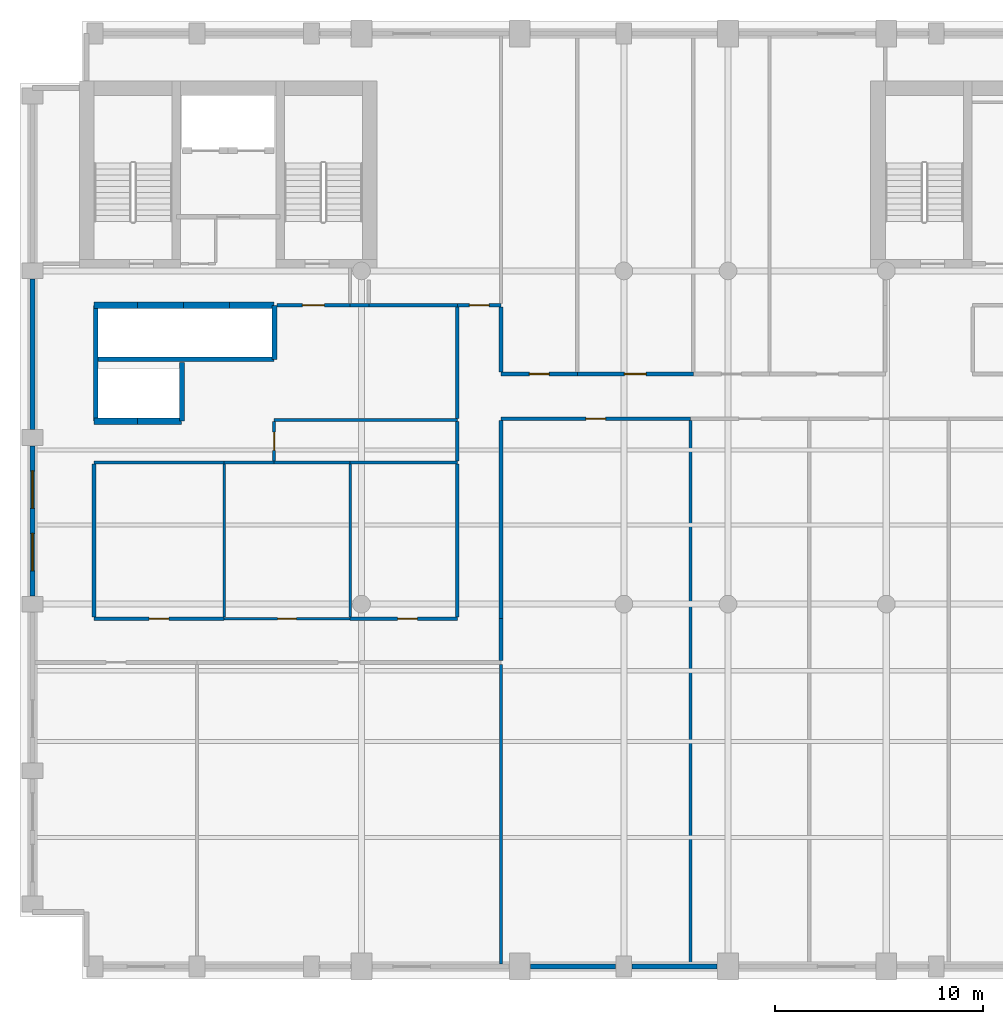
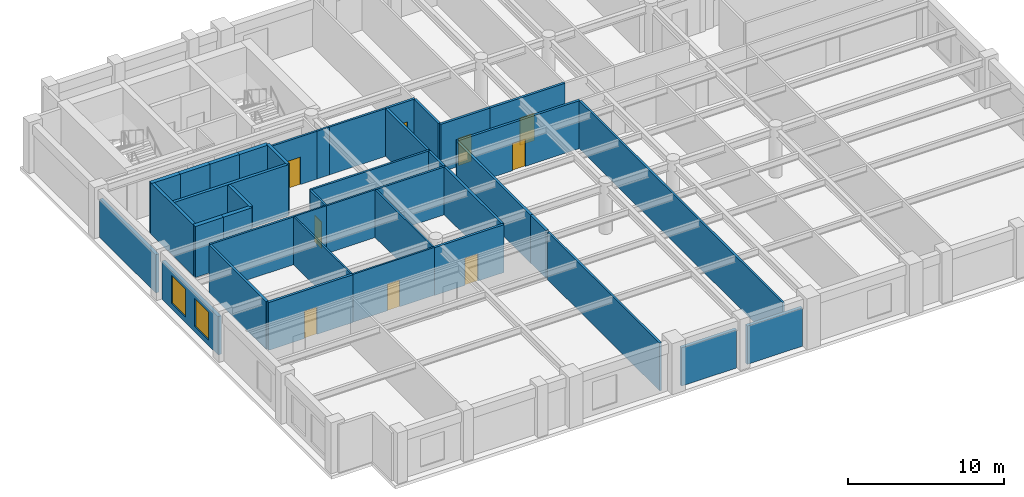
# One storey, part 3 of 8: 41 walls, 9 doors, 2 windows, 11 openings.
"""IFC4 building model written with IfcOpenShell, lengths in metres."""

from ifc_helpers import new_model, si_unit, direction, frame, frame_2d, origin, place, context, subcontext, project, spatial, rectangle, extrude, material, layer, layer_set, type_object, element, fill, save


model = new_model("IFC4")

# Units and contexts
model_context = context("Model", 3, precision=1e-05, world=origin(), true_north=direction((0.0, 1.0)))
body_context = subcontext(model_context, "Body", "Model", "MODEL_VIEW")
ifc_project = project(units=[si_unit("LENGTHUNIT", "METRE"), si_unit("AREAUNIT", "SQUARE_METRE"), si_unit("VOLUMEUNIT", "CUBIC_METRE"), si_unit("PLANEANGLEUNIT", "RADIAN"), si_unit("MASSUNIT", "GRAM", prefix="KILO")], contexts=[model_context])

# Site, building, storey
site_placement = place(None, origin())
site = spatial("IfcSite", under=ifc_project, at=site_placement, CompositionType="ELEMENT")
building_placement = place(site_placement, origin())
building = spatial("IfcBuilding", under=site, at=building_placement, Name="Sulina Concourse Tower", CompositionType="ELEMENT")
storey_placement = place(building_placement, frame((0.0, 0.0, 222.60009765625)))
storey = spatial("IfcBuildingStorey", under=building, at=storey_placement, Name="L54", CompositionType="ELEMENT", Elevation=222.60009765625)

# Walls
ifc_material_1 = material(Name="Concrete C50/60", Category="concrete")
ifc_layer_1 = layer(ifc_material_1, 0.219970703125)
ifc_layer_set_1 = layer_set([ifc_layer_1], Name="Concrete C50/60")
wall_type_1 = type_object("IfcWallType", Name="Core Lift Hoistway Divider Wall 220mm", PredefinedType="SOLIDWALL", material=ifc_layer_set_1)
wall_1_placement = place(storey_placement, frame((3.550048828125, 29.75, 0.0), z_axis=(0.0, 0.0, 1.0), x_axis=(1.0, 0.0, 0.0)))
element("IfcWall", 1, at=wall_1_placement, inside=storey, type_object=wall_type_1, Name="L54 shaft divider wall HW-LP3-S", PredefinedType="SOLIDWALL", context=body_context, shape_type="SweptSolid", body=[
    extrude(rectangle(XDim=8.64990234375, YDim=0.219970703125, at=frame_2d((4.324951171875, 0.0))), origin(), (0.0, 0.0, 1.0), 4.0),
])
wall_2_placement = place(storey_placement, frame((3.6298828125, 26.800048828125, 0.0), z_axis=(0.0, 0.0, 1.0), x_axis=(0.0, 1.0, 0.0)))
element("IfcWall", 2, at=wall_2_placement, inside=storey, type_object=wall_type_1, Name="L54 shaft divider wall HW-LP3-W", PredefinedType="SOLIDWALL", context=body_context, shape_type="SweptSolid", body=[
    extrude(rectangle(XDim=5.550048828125, YDim=0.219970703125, at=frame_2d((2.77490234375, 0.0))), origin(), (0.0, 0.0, 1.0), 4.0),
])
wall_3_placement = place(storey_placement, frame((7.780029296875, 26.800048828125, 0.0), z_axis=(0.0, 0.0, 1.0), x_axis=(0.0, 1.0, 0.0)))
element("IfcWall", 3, at=wall_3_placement, inside=storey, type_object=wall_type_1, Name="L54 shaft divider wall HW-EXP-E", PredefinedType="SOLIDWALL", context=body_context, shape_type="SweptSolid", body=[
    extrude(rectangle(XDim=2.800048828125, YDim=0.219970703125, at=frame_2d((1.39990234375, 0.0))), origin(), (0.0, 0.0, 1.0), 4.0),
])
wall_4_placement = place(storey_placement, frame((12.219970703125, 29.75, 0.0), z_axis=(0.0, 0.0, 1.0), x_axis=(0.0, 1.0, 0.0)))
element("IfcWall", 4, at=wall_4_placement, inside=storey, type_object=wall_type_1, Name="L54 shaft divider wall HW-LP3-E", PredefinedType="SOLIDWALL", context=body_context, shape_type="SweptSolid", body=[
    extrude(rectangle(XDim=2.60009765625, YDim=0.219970703125, at=frame_2d((1.300048828125, 0.0))), origin(), (0.0, 0.0, 1.0), 4.0),
])
ifc_material_2 = material(Name="Concrete C50/60", Category="concrete")
ifc_layer_2 = layer(ifc_material_2, 0.300048828125)
ifc_layer_set_2 = layer_set([ifc_layer_2], Name="Concrete C50/60")
wall_type_2 = type_object("IfcWallType", Name="Core Lift Hoistway Wall 300mm", PredefinedType="SOLIDWALL", material=ifc_layer_set_2)
wall_5_placement = place(storey_placement, frame((3.550048828125, 32.35009765625, 0.0), z_axis=(0.0, 0.0, 1.0), x_axis=(1.0, 0.0, 0.0)))
element("IfcWall", 5, at=wall_5_placement, inside=storey, type_object=wall_type_2, Name="L54 hoistway enclosure wall LP-09", PredefinedType="SOLIDWALL", context=body_context, shape_type="SweptSolid", body=[
    extrude(rectangle(XDim=2.099853515625, YDim=0.300048828125, at=frame_2d((1.0498046875, 0.0))), origin(), (0.0, 0.0, 1.0), 4.0),
])
wall_6_placement = place(storey_placement, frame((5.64990234375, 32.35009765625, 0.0), z_axis=(0.0, 0.0, 1.0), x_axis=(1.0, 0.0, 0.0)))
element("IfcWall", 6, at=wall_6_placement, inside=storey, type_object=wall_type_2, Name="L54 hoistway enclosure wall LP-10", PredefinedType="SOLIDWALL", context=body_context, shape_type="SweptSolid", body=[
    extrude(rectangle(XDim=2.2001953125, YDim=0.300048828125, at=frame_2d((1.10009765625, 0.0))), origin(), (0.0, 0.0, 1.0), 4.0),
])
wall_7_placement = place(storey_placement, frame((7.85009765625, 32.35009765625, 0.0), z_axis=(0.0, 0.0, 1.0), x_axis=(1.0, 0.0, 0.0)))
element("IfcWall", 7, at=wall_7_placement, inside=storey, type_object=wall_type_2, Name="L54 hoistway enclosure wall LP-11", PredefinedType="SOLIDWALL", context=body_context, shape_type="SweptSolid", body=[
    extrude(rectangle(XDim=2.199951171875, YDim=0.300048828125, at=frame_2d((1.10009765625, 0.0))), origin(), (0.0, 0.0, 1.0), 4.0),
])
wall_8_placement = place(storey_placement, frame((10.050048828125, 32.35009765625, 0.0), z_axis=(0.0, 0.0, 1.0), x_axis=(1.0, 0.0, 0.0)))
element("IfcWall", 8, at=wall_8_placement, inside=storey, type_object=wall_type_2, Name="L54 hoistway enclosure wall LP-12", PredefinedType="SOLIDWALL", context=body_context, shape_type="SweptSolid", body=[
    extrude(rectangle(XDim=2.14990234375, YDim=0.300048828125, at=frame_2d((1.074951171875, 0.0))), origin(), (0.0, 0.0, 1.0), 4.0),
])
wall_9_placement = place(storey_placement, frame((5.64990234375, 26.780029296875, 0.0), z_axis=(0.0, 0.0, 1.0), x_axis=(-1.0, 0.0, 0.0)))
element("IfcWall", 9, at=wall_9_placement, inside=storey, type_object=wall_type_2, Name="L54 hoistway enclosure wall EXP-1", PredefinedType="SOLIDWALL", context=body_context, shape_type="SweptSolid", body=[
    extrude(rectangle(XDim=2.099853515625, YDim=0.300048828125, at=frame_2d((1.0498046875, 0.0))), origin(), (0.0, 0.0, 1.0), 4.0),
])
wall_10_placement = place(storey_placement, frame((7.75, 26.780029296875, 0.0), z_axis=(0.0, 0.0, 1.0), x_axis=(-1.0, 0.0, 0.0)))
element("IfcWall", 10, at=wall_10_placement, inside=storey, type_object=wall_type_2, Name="L54 hoistway enclosure wall EXP-2", PredefinedType="SOLIDWALL", context=body_context, shape_type="SweptSolid", body=[
    extrude(rectangle(XDim=2.10009765625, YDim=0.300048828125, at=frame_2d((1.050048828125, 0.0))), origin(), (0.0, 0.0, 1.0), 4.0),
])
ifc_material_3 = material(Name="Precast concrete C50/60", Category="concrete")
ifc_layer_3 = layer(ifc_material_3, 0.239990234375)
ifc_layer_set_3 = layer_set([ifc_layer_3], Name="Precast concrete C50/60")
wall_type_3 = type_object("IfcWallType", Name="Crown Precast Masonry-Frame Facade Wall 240mm", PredefinedType="SOLIDWALL", material=ifc_layer_set_3)
for number, where, z_axis, x_axis, name in (
    (11, (28.60498046875, 0.60009765625, 0.0), (0.0, 0.0, 1.0), (-1.0, 0.0, 0.0), "L54 exterior precast wall S5"),
    (12, (33.47998046875, 0.60009765625, 0.0), (0.0, 0.0, 1.0), (-1.0, 0.0, 0.0), "L54 exterior precast wall S6"),
):
    element("IfcWall", number, at=place(storey_placement, frame(where, z_axis=z_axis, x_axis=x_axis)), inside=storey, type_object=wall_type_3, Name=name, PredefinedType="SOLIDWALL", context=body_context, shape_type="SweptSolid", body=[
        extrude(rectangle(XDim=4.0849609375, YDim=0.239990234375, at=frame_2d((2.04248046875, 0.0))), origin(), (0.0, 0.0, 1.0), 3.0),
    ])

# Wall, openings, windows
wall_11_placement = place(storey_placement, frame((0.60009765625, 18.39501953125, 0.0), z_axis=(0.0, 0.0, 1.0), x_axis=(0.0, 1.0, 0.0)))
wall_11 = element("IfcWall", 13, at=wall_11_placement, inside=storey, type_object=wall_type_3, Name="L54 exterior precast wall W3", PredefinedType="SOLIDWALL", context=body_context, shape_type="SweptSolid", body=[
    extrude(rectangle(XDim=7.2099609375, YDim=0.239990234375, at=frame_2d((3.60498046875, 0.0))), origin(), (0.0, 0.0, 1.0), 3.0),
])
opening_1_placement = place(wall_11_placement, frame((1.203369140625, 0.0, 0.419921875)))
opening_1 = element("IfcOpeningElement", 14, at=opening_1_placement, cuts=wall_11, Name="Opening WN-25", PredefinedType="OPENING", context=body_context, shape_type="SweptSolid", body=[
    extrude(rectangle(XDim=1.800048828125, YDim=2.199951171875, at=frame_2d((0.89990234375, 1.10009765625))), frame((0.0, 0.1298828125, 0.0), z_axis=(0.0, -1.0, 0.0), x_axis=(1.0, 0.0, 0.0)), (0.0, 0.0, 1.0), 0.260009765625),
])
opening_2_placement = place(wall_11_placement, frame((4.206787109375, 0.0, 0.419921875)))
opening_2 = element("IfcOpeningElement", 15, at=opening_2_placement, cuts=wall_11, Name="Opening WN-25", PredefinedType="OPENING", context=body_context, shape_type="SweptSolid", body=[
    extrude(rectangle(XDim=1.800048828125, YDim=2.199951171875, at=frame_2d((0.89990234375, 1.10009765625))), frame((0.0, 0.1298828125, 0.0), z_axis=(0.0, -1.0, 0.0), x_axis=(1.0, 0.0, 0.0)), (0.0, 0.0, 1.0), 0.260009765625),
])
ifc_material_4 = material(Name="Low-E solar double glazing in bronze aluminium", Category="aluminium")
window_type = type_object("IfcWindowType", Name="Punched Masonry-Frame Window 1800x2200", PartitioningType="SINGLE_PANEL", PredefinedType="WINDOW", material=ifc_material_4)
window_1_placement = place(opening_1_placement, origin())
window_1 = element("IfcWindow", 16, at=window_1_placement, inside=storey, type_object=window_type, Name="L54 punched window W3-1", OverallHeight=2.199951171875, OverallWidth=1.800048828125, PartitioningType="SINGLE_PANEL", PredefinedType="WINDOW", context=body_context, shape_type="SweptSolid", body=[
    extrude(rectangle(XDim=1.800048828125, YDim=2.199951171875, at=frame_2d((0.89990234375, 1.10009765625))), frame((0.0, 0.030029296875, 0.0), z_axis=(0.0, -1.0, 0.0), x_axis=(1.0, 0.0, 0.0)), (0.0, 0.0, 1.0), 0.06005859375),
])
fill(opening_1, window_1)
window_2_placement = place(opening_2_placement, origin())
window_2 = element("IfcWindow", 17, at=window_2_placement, inside=storey, type_object=window_type, Name="L54 punched window W3-2", OverallHeight=2.199951171875, OverallWidth=1.800048828125, PartitioningType="SINGLE_PANEL", PredefinedType="WINDOW", context=body_context, shape_type="SweptSolid", body=[
    extrude(rectangle(XDim=1.800048828125, YDim=2.199951171875, at=frame_2d((0.89990234375, 1.10009765625))), frame((0.0, 0.030029296875, 0.0), z_axis=(0.0, -1.0, 0.0), x_axis=(1.0, 0.0, 0.0)), (0.0, 0.0, 1.0), 0.06005859375),
])
fill(opening_2, window_2)

# Walls
wall_12_placement = place(storey_placement, frame((0.60009765625, 26.39501953125, 0.0), z_axis=(0.0, 0.0, 1.0), x_axis=(0.0, 1.0, 0.0)))
element("IfcWall", 18, at=wall_12_placement, inside=storey, type_object=wall_type_3, Name="L54 exterior precast wall W4", PredefinedType="SOLIDWALL", context=body_context, shape_type="SweptSolid", body=[
    extrude(rectangle(XDim=7.2099609375, YDim=0.239990234375, at=frame_2d((3.60498046875, 0.0))), origin(), (0.0, 0.0, 1.0), 3.0),
])
ifc_material_5 = material(Name="Gypsum board on steel stud", Category="steel")
ifc_layer_4 = layer(ifc_material_5, 0.14990234375)
ifc_layer_set_4 = layer_set([ifc_layer_4], Name="Gypsum board on steel stud")
wall_type_4 = type_object("IfcWallType", Name="Inter-Tenancy Acoustic Partition 150mm", PredefinedType="PARTITIONING", material=ifc_layer_set_4)
wall_13_placement = place(storey_placement, frame((3.550048828125, 24.800048828125, 0.0), z_axis=(0.0, 0.0, 1.0), x_axis=(1.0, 0.0, 0.0)))
element("IfcWall", 19, at=wall_13_placement, inside=storey, type_object=wall_type_4, Name="L54 interior partition 006", PredefinedType="PARTITIONING", context=body_context, shape_type="SweptSolid", body=[
    extrude(rectangle(XDim=6.25, YDim=0.14990234375, at=frame_2d((3.125, 0.0))), origin(), (0.0, 0.0, 1.0), 3.75),
])
wall_14_placement = place(storey_placement, frame((15.85009765625, 24.800048828125, 0.0), z_axis=(0.0, 0.0, 1.0), x_axis=(1.0, 0.0, 0.0)))
element("IfcWall", 20, at=wall_14_placement, inside=storey, type_object=wall_type_4, Name="L54 interior partition 009", PredefinedType="PARTITIONING", context=body_context, shape_type="SweptSolid", body=[
    extrude(rectangle(XDim=5.14990234375, YDim=0.14990234375, at=frame_2d((2.574951171875, 0.0))), origin(), (0.0, 0.0, 1.0), 3.75),
])
wall_15_placement = place(storey_placement, frame((12.199951171875, 26.85009765625, 0.0), z_axis=(0.0, 0.0, 1.0), x_axis=(1.0, 0.0, 0.0)))
element("IfcWall", 21, at=wall_15_placement, inside=storey, type_object=wall_type_4, Name="L54 interior partition 010", PredefinedType="PARTITIONING", context=body_context, shape_type="SweptSolid", body=[
    extrude(rectangle(XDim=8.800048828125, YDim=0.14990234375, at=frame_2d((4.39990234375, 0.0))), origin(), (0.0, 0.0, 1.0), 3.75),
])

# Wall, opening, door
wall_16_placement = place(storey_placement, frame((12.330078125, 32.35009765625, 0.0), z_axis=(0.0, 0.0, 1.0), x_axis=(1.0, 0.0, 0.0)))
wall_16 = element("IfcWall", 22, at=wall_16_placement, inside=storey, type_object=wall_type_4, Name="L54 interior partition 020", PredefinedType="PARTITIONING", context=body_context, shape_type="SweptSolid", body=[
    extrude(rectangle(XDim=3.52001953125, YDim=0.14990234375, at=frame_2d((1.760009765625, 0.0))), origin(), (0.0, 0.0, 1.0), 3.75),
])
opening_3_placement = place(wall_16_placement, frame((1.235107421875, 0.0, 0.0)))
opening_3 = element("IfcOpeningElement", 23, at=opening_3_placement, cuts=wall_16, Name="Opening DR-37", PredefinedType="OPENING", context=body_context, shape_type="SweptSolid", body=[
    extrude(rectangle(XDim=1.050048828125, YDim=2.14990234375, at=frame_2d((0.52490234375, 1.074951171875))), frame((0.0, 0.0849609375, 0.0), z_axis=(0.0, -1.0, 0.0), x_axis=(1.0, 0.0, 0.0)), (0.0, 0.0, 1.0), 0.169921875),
])
ifc_material_6 = material(Name="Oak-veneered fire door leaf")
ifc_layer_5 = layer(ifc_material_6, 0.050048828125)
ifc_layer_set_5 = layer_set([ifc_layer_5], Name="Oak-veneered fire door leaf")
door_type_1 = type_object("IfcDoorType", Name="Tenant Suite Entrance Fire Door 1050x2150", OperationType="NOTDEFINED", PredefinedType="DOOR", material=ifc_layer_set_5)
door_1_placement = place(opening_3_placement, origin())
door_1 = element("IfcDoor", 24, at=door_1_placement, inside=storey, type_object=door_type_1, Name="L54 interior door L54-MR-MRG2", OperationType="SINGLE_SWING_LEFT", OverallHeight=2.14990234375, OverallWidth=1.050048828125, PredefinedType="DOOR", context=body_context, shape_type="SweptSolid", body=[
    extrude(rectangle(XDim=1.050048828125, YDim=2.14990234375, at=frame_2d((0.52490234375, 1.074951171875))), frame((0.0, 0.02490234375, 0.0), z_axis=(0.0, -1.0, 0.0), x_axis=(1.0, 0.0, 0.0)), (0.0, 0.0, 1.0), 0.050048828125),
])
fill(opening_3, door_1)

# Walls
wall_17_placement = place(storey_placement, frame((15.85009765625, 32.35009765625, 0.0), z_axis=(0.0, 0.0, 1.0), x_axis=(1.0, 0.0, 0.0)))
element("IfcWall", 25, at=wall_17_placement, inside=storey, type_object=wall_type_4, Name="L54 interior partition 021", PredefinedType="PARTITIONING", context=body_context, shape_type="SweptSolid", body=[
    extrude(rectangle(XDim=0.89990234375, YDim=0.14990234375, at=frame_2d((0.449951171875, 0.0))), origin(), (0.0, 0.0, 1.0), 3.75),
])
wall_18_placement = place(storey_placement, frame((16.75, 32.35009765625, 0.0), z_axis=(0.0, 0.0, 1.0), x_axis=(1.0, 0.0, 0.0)))
element("IfcWall", 26, at=wall_18_placement, inside=storey, type_object=wall_type_4, Name="L54 interior partition 022", PredefinedType="PARTITIONING", context=body_context, shape_type="SweptSolid", body=[
    extrude(rectangle(XDim=4.25, YDim=0.14990234375, at=frame_2d((2.125, 0.0))), origin(), (0.0, 0.0, 1.0), 3.75),
])

# Wall, opening, door
wall_19_placement = place(storey_placement, frame((12.199951171875, 24.862548828125, 0.0), z_axis=(0.0, 0.0, 1.0), x_axis=(0.0, 1.0, 0.0)))
wall_19 = element("IfcWall", 27, at=wall_19_placement, inside=storey, type_object=wall_type_4, Name="L54 interior partition 034", PredefinedType="PARTITIONING", context=body_context, shape_type="SweptSolid", body=[
    extrude(rectangle(XDim=1.912353515625, YDim=0.14990234375, at=frame_2d((0.9560546875, 0.0))), origin(), (0.0, 0.0, 1.0), 3.75),
])
opening_4_placement = place(wall_19_placement, frame((0.51611328125, 0.0, 0.0)))
opening_4 = element("IfcOpeningElement", 28, at=opening_4_placement, cuts=wall_19, Name="Opening DR-38", PredefinedType="OPENING", context=body_context, shape_type="SweptSolid", body=[
    extrude(rectangle(XDim=0.8798828125, YDim=2.10009765625, at=frame_2d((0.43994140625, 1.050048828125))), frame((0.0, 0.0849609375, 0.0), z_axis=(0.0, -1.0, 0.0), x_axis=(1.0, 0.0, 0.0)), (0.0, 0.0, 1.0), 0.169921875),
])
ifc_material_7 = material(Name="Galvanised steel acoustic fire leaf", Category="steel")
ifc_layer_6 = layer(ifc_material_7, 0.050048828125)
ifc_layer_set_6 = layer_set([ifc_layer_6], Name="Galvanised steel acoustic fire leaf")
door_type_2 = type_object("IfcDoorType", Name="Service Riser Fire Door 880x2100", OperationType="NOTDEFINED", PredefinedType="DOOR", material=ifc_layer_set_6)
door_2_placement = place(opening_4_placement, origin())
door_2 = element("IfcDoor", 29, at=door_2_placement, inside=storey, type_object=door_type_2, Name="L54 interior door L54-MR-MRG1", OperationType="SINGLE_SWING_RIGHT", OverallHeight=2.10009765625, OverallWidth=0.8798828125, PredefinedType="DOOR", context=body_context, shape_type="SweptSolid", body=[
    extrude(rectangle(XDim=0.8798828125, YDim=2.10009765625, at=frame_2d((0.43994140625, 1.050048828125))), frame((0.0, 0.02490234375, 0.0), z_axis=(0.0, -1.0, 0.0), x_axis=(1.0, 0.0, 0.0)), (0.0, 0.0, 1.0), 0.050048828125),
])
fill(opening_4, door_2)

# Walls
wall_20_placement = place(storey_placement, frame((23.10009765625, 0.719970703125, 0.0), z_axis=(0.0, 0.0, 1.0), x_axis=(0.0, 1.0, 0.0)))
element("IfcWall", 30, at=wall_20_placement, inside=storey, type_object=wall_type_4, Name="L54 interior partition 041", PredefinedType="PARTITIONING", context=body_context, shape_type="SweptSolid", body=[
    extrude(rectangle(XDim=14.39013671875, YDim=0.14990234375, at=frame_2d((7.195068359375, 0.0))), origin(), (0.0, 0.0, 1.0), 3.75),
])
wall_21_placement = place(storey_placement, frame((32.199951171875, 0.719970703125, 0.0), z_axis=(0.0, 0.0, 1.0), x_axis=(0.0, 1.0, 0.0)))
element("IfcWall", 31, at=wall_21_placement, inside=storey, type_object=wall_type_4, Name="L54 interior partition 047", PredefinedType="PARTITIONING", context=body_context, shape_type="SweptSolid", body=[
    extrude(rectangle(XDim=26.090087890625, YDim=0.14990234375, at=frame_2d((13.044921875, 0.0))), origin(), (0.0, 0.0, 1.0), 3.75),
])

# Wall, opening, door
ifc_material_8 = material(Name="Gypsum board on steel stud", Category="steel")
ifc_layer_7 = layer(ifc_material_8, 0.179931640625)
ifc_layer_set_7 = layer_set([ifc_layer_7], Name="Gypsum board on steel stud")
wall_type_5 = type_object("IfcWallType", Name="Protected Corridor & Riser Partition 180mm", PredefinedType="PARTITIONING", material=ifc_layer_set_7)
wall_22_placement = place(storey_placement, frame((3.550048828125, 17.300048828125, 0.0), z_axis=(0.0, 0.0, 1.0), x_axis=(1.0, 0.0, 0.0)))
wall_22 = element("IfcWall", 32, at=wall_22_placement, inside=storey, type_object=wall_type_5, Name="L54 interior partition 003", PredefinedType="PARTITIONING", context=body_context, shape_type="SweptSolid", body=[
    extrude(rectangle(XDim=6.25, YDim=0.179931640625, at=frame_2d((3.125, 0.0))), origin(), (0.0, 0.0, 1.0), 3.75),
])
opening_5_placement = place(wall_22_placement, frame((2.64990234375, 0.0, 0.0)))
opening_5 = element("IfcOpeningElement", 33, at=opening_5_placement, cuts=wall_22, Name="Opening DR-19", PredefinedType="OPENING", context=body_context, shape_type="SweptSolid", body=[
    extrude(rectangle(XDim=0.949951171875, YDim=2.14990234375, at=frame_2d((0.47509765625, 1.074951171875))), frame((0.0, 0.099853515625, 0.0), z_axis=(0.0, -1.0, 0.0), x_axis=(1.0, 0.0, 0.0)), (0.0, 0.0, 1.0), 0.199951171875),
])
ifc_material_9 = material(Name="Oak-veneered acoustic timber leaf", Category="wood")
ifc_layer_8 = layer(ifc_material_9, 0.050048828125)
ifc_layer_set_8 = layer_set([ifc_layer_8], Name="Oak-veneered acoustic timber leaf")
door_type_3 = type_object("IfcDoorType", Name="Cellular Office & Meeting Door 950x2150", OperationType="NOTDEFINED", PredefinedType="DOOR", material=ifc_layer_set_8)
door_3_placement = place(opening_5_placement, origin())
door_3 = element("IfcDoor", 34, at=door_3_placement, inside=storey, type_object=door_type_3, Name="L54 interior door L54-LR-MRG1", OperationType="SINGLE_SWING_LEFT", OverallHeight=2.14990234375, OverallWidth=0.949951171875, PredefinedType="DOOR", context=body_context, shape_type="SweptSolid", body=[
    extrude(rectangle(XDim=0.949951171875, YDim=2.14990234375, at=frame_2d((0.47509765625, 1.074951171875))), frame((0.0, 0.02490234375, 0.0), z_axis=(0.0, -1.0, 0.0), x_axis=(1.0, 0.0, 0.0)), (0.0, 0.0, 1.0), 0.050048828125),
])
fill(opening_5, door_3)

wall_23_placement = place(storey_placement, frame((15.85009765625, 17.300048828125, 0.0), z_axis=(0.0, 0.0, 1.0), x_axis=(1.0, 0.0, 0.0)))
wall_23 = element("IfcWall", 35, at=wall_23_placement, inside=storey, type_object=wall_type_5, Name="L54 interior partition 005", PredefinedType="PARTITIONING", context=body_context, shape_type="SweptSolid", body=[
    extrude(rectangle(XDim=5.14990234375, YDim=0.179931640625, at=frame_2d((2.574951171875, 0.0))), origin(), (0.0, 0.0, 1.0), 3.75),
])
opening_6_placement = place(wall_23_placement, frame((2.280029296875, 0.0, 0.0)))
opening_6 = element("IfcOpeningElement", 36, at=opening_6_placement, cuts=wall_23, Name="Opening DR-19", PredefinedType="OPENING", context=body_context, shape_type="SweptSolid", body=[
    extrude(rectangle(XDim=0.949951171875, YDim=2.14990234375, at=frame_2d((0.47509765625, 1.074951171875))), frame((0.0, 0.099853515625, 0.0), z_axis=(0.0, -1.0, 0.0), x_axis=(1.0, 0.0, 0.0)), (0.0, 0.0, 1.0), 0.199951171875),
])
door_4_placement = place(opening_6_placement, origin())
door_4 = element("IfcDoor", 37, at=door_4_placement, inside=storey, type_object=door_type_3, Name="L54 interior door L54-NZ-PKW", OperationType="SINGLE_SWING_LEFT", OverallHeight=2.14990234375, OverallWidth=0.949951171875, PredefinedType="DOOR", context=body_context, shape_type="SweptSolid", body=[
    extrude(rectangle(XDim=0.949951171875, YDim=2.14990234375, at=frame_2d((0.47509765625, 1.074951171875))), frame((0.0, 0.02490234375, 0.0), z_axis=(0.0, -1.0, 0.0), x_axis=(1.0, 0.0, 0.0)), (0.0, 0.0, 1.0), 0.050048828125),
])
fill(opening_6, door_4)

wall_24_placement = place(storey_placement, frame((23.10009765625, 26.89990234375, 0.0), z_axis=(0.0, 0.0, 1.0), x_axis=(1.0, 0.0, 0.0)))
wall_24 = element("IfcWall", 38, at=wall_24_placement, inside=storey, type_object=wall_type_5, Name="L54 interior partition 011", PredefinedType="PARTITIONING", context=body_context, shape_type="SweptSolid", body=[
    extrude(rectangle(XDim=9.099853515625, YDim=0.179931640625, at=frame_2d((4.5498046875, 0.0))), origin(), (0.0, 0.0, 1.0), 3.75),
])
opening_7_placement = place(wall_24_placement, frame((4.074951171875, 0.0, 0.0)))
opening_7 = element("IfcOpeningElement", 39, at=opening_7_placement, cuts=wall_24, Name="Opening DR-19", PredefinedType="OPENING", context=body_context, shape_type="SweptSolid", body=[
    extrude(rectangle(XDim=0.949951171875, YDim=2.14990234375, at=frame_2d((0.47509765625, 1.074951171875))), frame((0.0, 0.099853515625, 0.0), z_axis=(0.0, -1.0, 0.0), x_axis=(1.0, 0.0, 0.0)), (0.0, 0.0, 1.0), 0.199951171875),
])
door_5_placement = place(opening_7_placement, origin())
door_5 = element("IfcDoor", 40, at=door_5_placement, inside=storey, type_object=door_type_3, Name="L54 interior door L54-S03", OperationType="SINGLE_SWING_RIGHT", OverallHeight=2.14990234375, OverallWidth=0.949951171875, PredefinedType="DOOR", context=body_context, shape_type="SweptSolid", body=[
    extrude(rectangle(XDim=0.949951171875, YDim=2.14990234375, at=frame_2d((0.47509765625, 1.074951171875))), frame((0.0, 0.02490234375, 0.0), z_axis=(0.0, -1.0, 0.0), x_axis=(1.0, 0.0, 0.0)), (0.0, 0.0, 1.0), 0.050048828125),
])
fill(opening_7, door_5)

wall_25_placement = place(storey_placement, frame((23.10009765625, 29.050048828125, 0.0), z_axis=(0.0, 0.0, 1.0), x_axis=(1.0, 0.0, 0.0)))
wall_25 = element("IfcWall", 41, at=wall_25_placement, inside=storey, type_object=wall_type_5, Name="L54 interior partition 015", PredefinedType="PARTITIONING", context=body_context, shape_type="SweptSolid", body=[
    extrude(rectangle(XDim=3.659912109375, YDim=0.179931640625, at=frame_2d((1.830078125, 0.0))), origin(), (0.0, 0.0, 1.0), 3.75),
])
opening_8_placement = place(wall_25_placement, frame((1.35498046875, 0.0, 0.0)))
opening_8 = element("IfcOpeningElement", 42, at=opening_8_placement, cuts=wall_25, Name="Opening DR-19", PredefinedType="OPENING", context=body_context, shape_type="SweptSolid", body=[
    extrude(rectangle(XDim=0.949951171875, YDim=2.14990234375, at=frame_2d((0.47509765625, 1.074951171875))), frame((0.0, 0.099853515625, 0.0), z_axis=(0.0, -1.0, 0.0), x_axis=(1.0, 0.0, 0.0)), (0.0, 0.0, 1.0), 0.199951171875),
])
door_6_placement = place(opening_8_placement, origin())
door_6 = element("IfcDoor", 43, at=door_6_placement, inside=storey, type_object=door_type_3, Name="L54 interior door L54-NC1", OperationType="SINGLE_SWING_RIGHT", OverallHeight=2.14990234375, OverallWidth=0.949951171875, PredefinedType="DOOR", context=body_context, shape_type="SweptSolid", body=[
    extrude(rectangle(XDim=0.949951171875, YDim=2.14990234375, at=frame_2d((0.47509765625, 1.074951171875))), frame((0.0, 0.02490234375, 0.0), z_axis=(0.0, -1.0, 0.0), x_axis=(1.0, 0.0, 0.0)), (0.0, 0.0, 1.0), 0.050048828125),
])
fill(opening_8, door_6)

wall_26_placement = place(storey_placement, frame((26.760009765625, 29.050048828125, 0.0), z_axis=(0.0, 0.0, 1.0), x_axis=(1.0, 0.0, 0.0)))
wall_26 = element("IfcWall", 44, at=wall_26_placement, inside=storey, type_object=wall_type_5, Name="L54 interior partition 016", PredefinedType="PARTITIONING", context=body_context, shape_type="SweptSolid", body=[
    extrude(rectangle(XDim=5.570068359375, YDim=0.179931640625, at=frame_2d((2.78515625, 0.0))), origin(), (0.0, 0.0, 1.0), 3.75),
])
opening_9_placement = place(wall_26_placement, frame((2.260009765625, 0.0, 0.0)))
opening_9 = element("IfcOpeningElement", 45, at=opening_9_placement, cuts=wall_26, Name="Opening DR-37", PredefinedType="OPENING", context=body_context, shape_type="SweptSolid", body=[
    extrude(rectangle(XDim=1.050048828125, YDim=2.14990234375, at=frame_2d((0.52490234375, 1.074951171875))), frame((0.0, 0.099853515625, 0.0), z_axis=(0.0, -1.0, 0.0), x_axis=(1.0, 0.0, 0.0)), (0.0, 0.0, 1.0), 0.199951171875),
])
door_7_placement = place(opening_9_placement, origin())
door_7 = element("IfcDoor", 46, at=door_7_placement, inside=storey, type_object=door_type_1, Name="L54 interior door L54-NC2", OperationType="SINGLE_SWING_LEFT", OverallHeight=2.14990234375, OverallWidth=1.050048828125, PredefinedType="DOOR", context=body_context, shape_type="SweptSolid", body=[
    extrude(rectangle(XDim=1.050048828125, YDim=2.14990234375, at=frame_2d((0.52490234375, 1.074951171875))), frame((0.0, 0.02490234375, 0.0), z_axis=(0.0, -1.0, 0.0), x_axis=(1.0, 0.0, 0.0)), (0.0, 0.0, 1.0), 0.050048828125),
])
fill(opening_9, door_7)

wall_27_placement = place(storey_placement, frame((21.0, 32.35009765625, 0.0), z_axis=(0.0, 0.0, 1.0), x_axis=(1.0, 0.0, 0.0)))
wall_27 = element("IfcWall", 47, at=wall_27_placement, inside=storey, type_object=wall_type_5, Name="L54 interior partition 023", PredefinedType="PARTITIONING", context=body_context, shape_type="SweptSolid", body=[
    extrude(rectangle(XDim=2.10009765625, YDim=0.179931640625, at=frame_2d((1.050048828125, 0.0))), origin(), (0.0, 0.0, 1.0), 3.75),
])
opening_10_placement = place(wall_27_placement, frame((0.574951171875, 0.0, 0.0)))
opening_10 = element("IfcOpeningElement", 48, at=opening_10_placement, cuts=wall_27, Name="Opening DR-19", PredefinedType="OPENING", context=body_context, shape_type="SweptSolid", body=[
    extrude(rectangle(XDim=0.949951171875, YDim=2.14990234375, at=frame_2d((0.47509765625, 1.074951171875))), frame((0.0, 0.099853515625, 0.0), z_axis=(0.0, -1.0, 0.0), x_axis=(1.0, 0.0, 0.0)), (0.0, 0.0, 1.0), 0.199951171875),
])
door_8_placement = place(opening_10_placement, origin())
door_8 = element("IfcDoor", 49, at=door_8_placement, inside=storey, type_object=door_type_3, Name="L54 interior door L54-NC-NW", OperationType="SINGLE_SWING_RIGHT", OverallHeight=2.14990234375, OverallWidth=0.949951171875, PredefinedType="DOOR", context=body_context, shape_type="SweptSolid", body=[
    extrude(rectangle(XDim=0.949951171875, YDim=2.14990234375, at=frame_2d((0.47509765625, 1.074951171875))), frame((0.0, 0.02490234375, 0.0), z_axis=(0.0, -1.0, 0.0), x_axis=(1.0, 0.0, 0.0)), (0.0, 0.0, 1.0), 0.050048828125),
])
fill(opening_10, door_8)

# Walls
for number, where, z_axis, x_axis, name in (
    (50, (3.550048828125, 17.389892578125, 0.0), (0.0, 0.0, 1.0), (0.0, 1.0, 0.0), "L54 interior partition 030"),
    (51, (21.0, 17.389892578125, 0.0), (0.0, 0.0, 1.0), (0.0, 1.0, 0.0), "L54 interior partition 038"),
):
    element("IfcWall", number, at=place(storey_placement, frame(where, z_axis=z_axis, x_axis=x_axis)), inside=storey, type_object=wall_type_5, Name=name, PredefinedType="PARTITIONING", context=body_context, shape_type="SweptSolid", body=[
        extrude(rectangle(XDim=7.335205078125, YDim=0.179931640625, at=frame_2d((3.66748046875, 0.0))), origin(), (0.0, 0.0, 1.0), 3.75),
    ])
wall_28_placement = place(storey_placement, frame((21.0, 24.875, 0.0), z_axis=(0.0, 0.0, 1.0), x_axis=(0.0, 1.0, 0.0)))
element("IfcWall", 52, at=wall_28_placement, inside=storey, type_object=wall_type_5, Name="L54 interior partition 039", PredefinedType="PARTITIONING", context=body_context, shape_type="SweptSolid", body=[
    extrude(rectangle(XDim=1.89990234375, YDim=0.179931640625, at=frame_2d((0.949951171875, 0.0))), origin(), (0.0, 0.0, 1.0), 3.75),
])
wall_29_placement = place(storey_placement, frame((21.0, 26.925048828125, 0.0), z_axis=(0.0, 0.0, 1.0), x_axis=(0.0, 1.0, 0.0)))
element("IfcWall", 53, at=wall_29_placement, inside=storey, type_object=wall_type_5, Name="L54 interior partition 040", PredefinedType="PARTITIONING", context=body_context, shape_type="SweptSolid", body=[
    extrude(rectangle(XDim=5.3349609375, YDim=0.179931640625, at=frame_2d((2.66748046875, 0.0))), origin(), (0.0, 0.0, 1.0), 3.75),
])
wall_30_placement = place(storey_placement, frame((23.10009765625, 15.2900390625, 0.0), z_axis=(0.0, 0.0, 1.0), x_axis=(0.0, 1.0, 0.0)))
element("IfcWall", 54, at=wall_30_placement, inside=storey, type_object=wall_type_5, Name="L54 interior partition 042", PredefinedType="PARTITIONING", context=body_context, shape_type="SweptSolid", body=[
    extrude(rectangle(XDim=2.010009765625, YDim=0.179931640625, at=frame_2d((1.0048828125, 0.0))), origin(), (0.0, 0.0, 1.0), 3.75),
])
wall_31_placement = place(storey_placement, frame((23.10009765625, 17.300048828125, 0.0), z_axis=(0.0, 0.0, 1.0), x_axis=(0.0, 1.0, 0.0)))
element("IfcWall", 55, at=wall_31_placement, inside=storey, type_object=wall_type_5, Name="L54 interior partition 043", PredefinedType="PARTITIONING", context=body_context, shape_type="SweptSolid", body=[
    extrude(rectangle(XDim=9.510009765625, YDim=0.179931640625, at=frame_2d((4.7548828125, 0.0))), origin(), (0.0, 0.0, 1.0), 3.75),
])
wall_32_placement = place(storey_placement, frame((23.10009765625, 29.139892578125, 0.0), z_axis=(0.0, 0.0, 1.0), x_axis=(0.0, 1.0, 0.0)))
element("IfcWall", 56, at=wall_32_placement, inside=storey, type_object=wall_type_5, Name="L54 interior partition 044", PredefinedType="PARTITIONING", context=body_context, shape_type="SweptSolid", body=[
    extrude(rectangle(XDim=3.1201171875, YDim=0.179931640625, at=frame_2d((1.56005859375, 0.0))), origin(), (0.0, 0.0, 1.0), 3.75),
])

# Wall, opening, door
ifc_material_10 = material(Name="Gypsum board on steel stud", Category="steel")
ifc_layer_9 = layer(ifc_material_10, 0.125)
ifc_layer_set_9 = layer_set([ifc_layer_9], Name="Gypsum board on steel stud")
wall_type_6 = type_object("IfcWallType", Name="Wet-Area Moisture-Resistant Partition 125mm", PredefinedType="PARTITIONING", material=ifc_layer_set_9)
wall_33_placement = place(storey_placement, frame((9.800048828125, 17.300048828125, 0.0), z_axis=(0.0, 0.0, 1.0), x_axis=(1.0, 0.0, 0.0)))
wall_33 = element("IfcWall", 57, at=wall_33_placement, inside=storey, type_object=wall_type_6, Name="L54 interior partition 004", PredefinedType="PARTITIONING", context=body_context, shape_type="SweptSolid", body=[
    extrude(rectangle(XDim=6.050048828125, YDim=0.125, at=frame_2d((3.02490234375, 0.0))), origin(), (0.0, 0.0, 1.0), 3.75),
])
opening_11_placement = place(wall_33_placement, frame((2.574951171875, 0.0, 0.0)))
opening_11 = element("IfcOpeningElement", 58, at=opening_11_placement, cuts=wall_33, Name="Opening DR-21", PredefinedType="OPENING", context=body_context, shape_type="SweptSolid", body=[
    extrude(rectangle(XDim=0.89990234375, YDim=2.10009765625, at=frame_2d((0.449951171875, 1.050048828125))), frame((0.0, 0.072509765625, 0.0), z_axis=(0.0, -1.0, 0.0), x_axis=(1.0, 0.0, 0.0)), (0.0, 0.0, 1.0), 0.14501953125),
])
ifc_material_11 = material(Name="Oak-veneered fire door leaf")
ifc_layer_10 = layer(ifc_material_11, 0.050048828125)
ifc_layer_set_10 = layer_set([ifc_layer_10], Name="Oak-veneered fire door leaf")
door_type_4 = type_object("IfcDoorType", Name="Restroom & Service Door 900x2100", OperationType="NOTDEFINED", PredefinedType="DOOR", material=ifc_layer_set_10)
door_9_placement = place(opening_11_placement, origin())
door_9 = element("IfcDoor", 59, at=door_9_placement, inside=storey, type_object=door_type_4, Name="L54 interior door L54-LR-MRG2", OperationType="SINGLE_SWING_RIGHT", OverallHeight=2.10009765625, OverallWidth=0.89990234375, PredefinedType="DOOR", context=body_context, shape_type="SweptSolid", body=[
    extrude(rectangle(XDim=0.89990234375, YDim=2.10009765625, at=frame_2d((0.449951171875, 1.050048828125))), frame((0.0, 0.02490234375, 0.0), z_axis=(0.0, -1.0, 0.0), x_axis=(1.0, 0.0, 0.0)), (0.0, 0.0, 1.0), 0.050048828125),
])
fill(opening_11, door_9)

# Walls
wall_34_placement = place(storey_placement, frame((9.800048828125, 24.800048828125, 0.0), z_axis=(0.0, 0.0, 1.0), x_axis=(1.0, 0.0, 0.0)))
element("IfcWall", 60, at=wall_34_placement, inside=storey, type_object=wall_type_6, Name="L54 interior partition 007", PredefinedType="PARTITIONING", context=body_context, shape_type="SweptSolid", body=[
    extrude(rectangle(XDim=2.39990234375, YDim=0.125, at=frame_2d((1.199951171875, 0.0))), origin(), (0.0, 0.0, 1.0), 3.75),
])
wall_35_placement = place(storey_placement, frame((12.199951171875, 24.800048828125, 0.0), z_axis=(0.0, 0.0, 1.0), x_axis=(1.0, 0.0, 0.0)))
element("IfcWall", 61, at=wall_35_placement, inside=storey, type_object=wall_type_6, Name="L54 interior partition 008", PredefinedType="PARTITIONING", context=body_context, shape_type="SweptSolid", body=[
    extrude(rectangle(XDim=3.650146484375, YDim=0.125, at=frame_2d((1.8251953125, 0.0))), origin(), (0.0, 0.0, 1.0), 3.75),
])
for number, where, z_axis, x_axis, name in (
    (62, (9.800048828125, 17.389892578125, 0.0), (0.0, 0.0, 1.0), (0.0, 1.0, 0.0), "L54 interior partition 033"),
    (63, (15.85009765625, 17.389892578125, 0.0), (0.0, 0.0, 1.0), (0.0, 1.0, 0.0), "L54 interior partition 035"),
):
    element("IfcWall", number, at=place(storey_placement, frame(where, z_axis=z_axis, x_axis=x_axis)), inside=storey, type_object=wall_type_6, Name=name, PredefinedType="PARTITIONING", context=body_context, shape_type="SweptSolid", body=[
        extrude(rectangle(XDim=7.335205078125, YDim=0.125, at=frame_2d((3.66748046875, 0.0))), origin(), (0.0, 0.0, 1.0), 3.75),
    ])

save(model, "model.ifc")
